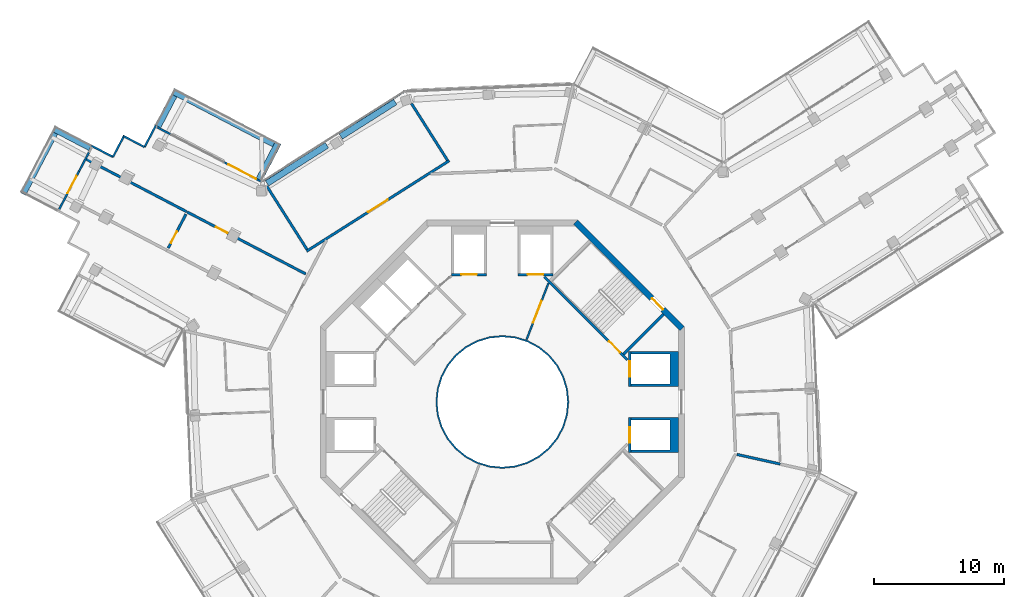
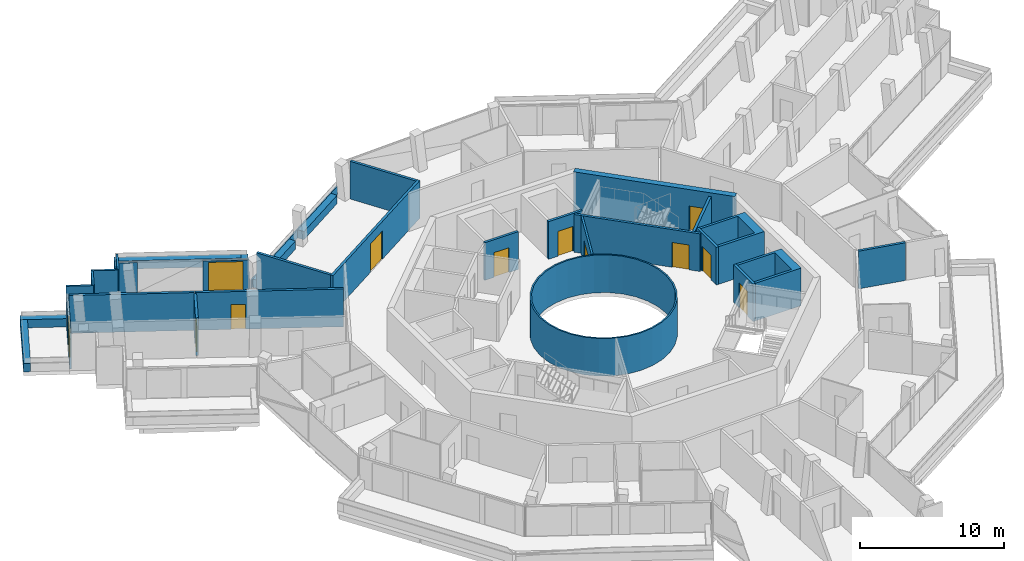
# One storey, part 18 of 23: 34 walls, 12 doors, 12 openings.
"""IFC4 building model written with IfcOpenShell, lengths in metres."""

from ifc_helpers import new_model, si_unit, direction, frame, frame_2d, origin, place, context, subcontext, project, spatial, polyline, rectangle, outline, extrude, material, layer, layer_set, type_object, element, fill, save


model = new_model("IFC4")

# Units and contexts
model_context = context("Model", 3, precision=1e-05, world=origin(), true_north=direction((0.0, 1.0)))
body_context = subcontext(model_context, "Body", "Model", "MODEL_VIEW")
ifc_project = project(units=[si_unit("LENGTHUNIT", "METRE"), si_unit("AREAUNIT", "SQUARE_METRE"), si_unit("VOLUMEUNIT", "CUBIC_METRE"), si_unit("PLANEANGLEUNIT", "RADIAN"), si_unit("MASSUNIT", "GRAM", prefix="KILO")], contexts=[model_context])

# Site, building, storey
site_placement = place(None, origin())
site = spatial("IfcSite", under=ifc_project, at=site_placement, CompositionType="ELEMENT")
building_placement = place(site_placement, origin())
building = spatial("IfcBuilding", under=site, at=building_placement, Name="Verdalira Terraces Hotel", CompositionType="ELEMENT")
storey_placement = place(building_placement, frame((0.0, 0.0, 288.0)))
storey = spatial("IfcBuildingStorey", under=building, at=storey_placement, Name="L71", CompositionType="ELEMENT", Elevation=288.0)

# Walls
ifc_material_1 = material(Name="Fire-resisting glass EI 180", Category="glass")
ifc_layer_1 = layer(ifc_material_1, 0.1201171875)
ifc_layer_set_1 = layer_set([ifc_layer_1], Name="Atrium fire screen 120 mm")
wall_type_1 = type_object("IfcWallType", Name="Atrium fire screen 120 mm", PredefinedType="SOLIDWALL", material=ifc_layer_set_1)
wall_1_placement = place(storey_placement, origin())
element("IfcWall", 1, at=wall_1_placement, inside=storey, type_object=wall_type_1, Name="Atrium fire screen", PredefinedType="SOLIDWALL", context=body_context, shape_type="SweptSolid", body=[
    extrude(outline(polyline([(5.021484, -0.998779), (4.730225, -1.959229), (4.25708, -2.844482), (3.620361, -3.620361), (2.844482, -4.25708), (1.959229, -4.730225), (0.998779, -5.021484), (0.0, -5.120117), (-0.998779, -5.021484), (-1.959229, -4.730225), (-2.844482, -4.25708), (-3.620361, -3.620361), (-4.25708, -2.844482), (-4.730225, -1.959229), (-5.021484, -0.998779), (-5.120117, 0.0), (-5.021484, 0.998779), (-4.730225, 1.959229), (-4.25708, 2.844482), (-3.620361, 3.620361), (-2.844482, 4.25708), (-1.959229, 4.730225), (-0.998779, 5.021484), (0.0, 5.120117), (0.998779, 5.021484), (1.959229, 4.730225), (2.844482, 4.25708), (3.620361, 3.620361), (4.25708, 2.844482), (4.730225, 1.959229), (5.021484, 0.998779), (5.120117, 0.0), (5.021484, -0.998779)]), holes=[polyline([(4.903809, 0.975586), (4.619385, 1.91333), (4.157227, 2.777832), (3.5354, 3.5354), (2.777832, 4.157227), (1.91333, 4.619385), (0.975586, 4.903809), (0.0, 5.0), (-0.975586, 4.903809), (-1.91333, 4.619385), (-2.777832, 4.157227), (-3.5354, 3.5354), (-4.157227, 2.777832), (-4.619385, 1.91333), (-4.903809, 0.975586), (-5.0, 0.0), (-4.903809, -0.975586), (-4.619385, -1.91333), (-4.157227, -2.777832), (-3.5354, -3.5354), (-2.777832, -4.157227), (-1.91333, -4.619385), (-0.975586, -4.903809), (0.0, -5.0), (0.975586, -4.903809), (1.91333, -4.619385), (2.777832, -4.157227), (3.5354, -3.5354), (4.157227, -2.777832), (4.619385, -1.91333), (4.903809, -0.975586), (5.0, 0.0), (4.903809, 0.975586)])]), origin(), (0.0, 0.0, 1.0), 3.189941),
])
ifc_material_2 = material(Name="Concrete C40", Category="concrete")
ifc_layer_2 = layer(ifc_material_2, 0.5)
ifc_layer_set_2 = layer_set([ifc_layer_2], Name="Balcony planter trough with tree")
wall_type_2 = type_object("IfcWallType", Name="Balcony planter trough with tree", PredefinedType="SOLIDWALL", material=ifc_layer_set_2)
wall_2_placement = place(storey_placement, frame((-31.696289, 19.560791, 0.0), z_axis=(0.0, 0.0, 1.0), x_axis=(-0.886222596, 0.463259659, 0.0)))
element("IfcWall", 2, at=wall_2_placement, inside=storey, type_object=wall_type_2, Name="Balcony planter", PredefinedType="SOLIDWALL", context=body_context, shape_type="SweptSolid", body=[
    extrude(rectangle(XDim=3.198975, YDim=0.5, at=frame_2d((1.599609, 0.0))), origin(), (0.0, 0.0, 1.0), 0.699951),
])
wall_3_placement = place(storey_placement, frame((-34.425537, 20.705322, 0.0), z_axis=(0.0, 0.0, 1.0), x_axis=(-0.463282166, -0.88621083, 0.0)))
element("IfcWall", 3, at=wall_3_placement, inside=storey, type_object=wall_type_2, Name="Balcony planter", PredefinedType="SOLIDWALL", context=body_context, shape_type="SweptSolid", body=[
    extrude(rectangle(XDim=5.299805, YDim=0.5, at=frame_2d((2.649902, 0.0))), origin(), (0.0, 0.0, 1.0), 0.699951),
])
wall_4_placement = place(storey_placement, frame((-18.70752, 17.115723, 0.0), z_axis=(0.0, 0.0, 1.0), x_axis=(0.463319596, 0.886191262, 0.0)))
element("IfcWall", 4, at=wall_4_placement, inside=storey, type_object=wall_type_2, Name="Balcony planter", PredefinedType="SOLIDWALL", context=body_context, shape_type="SweptSolid", body=[
    extrude(rectangle(XDim=3.198975, YDim=0.5, at=frame_2d((1.599609, 0.0))), origin(), (0.0, 0.0, 1.0), 0.699951),
])
wall_5_placement = place(storey_placement, frame((-17.562744, 19.844971, 0.0), z_axis=(0.0, 0.0, 1.0), x_axis=(-0.886200829, 0.463301295, 0.0)))
element("IfcWall", 5, at=wall_5_placement, inside=storey, type_object=wall_type_2, Name="Balcony planter", PredefinedType="SOLIDWALL", context=body_context, shape_type="SweptSolid", body=[
    extrude(rectangle(XDim=8.792236, YDim=0.5, at=frame_2d((4.395996, 0.0))), origin(), (0.0, 0.0, 1.0), 0.699951),
])
wall_6_placement = place(storey_placement, frame((-25.248779, 23.581055, 0.0), z_axis=(0.0, 0.0, 1.0), x_axis=(-0.463313949, -0.886194214, 0.0)))
element("IfcWall", 6, at=wall_6_placement, inside=storey, type_object=wall_type_2, Name="Balcony planter", PredefinedType="SOLIDWALL", context=body_context, shape_type="SweptSolid", body=[
    extrude(rectangle(XDim=2.698975, YDim=0.5, at=frame_2d((1.349609, 0.0))), origin(), (0.0, 0.0, 1.0), 0.699951),
])
ifc_material_3 = material(Name="Concrete C50", Category="concrete")
ifc_layer_3 = layer(ifc_material_3, 0.199951171875)
ifc_layer_set_3 = layer_set([ifc_layer_3], Name="Core RC wall 200 C50")
wall_type_3 = type_object("IfcWallType", Name="Core RC wall 200 C50", PredefinedType="SOLIDWALL", material=ifc_layer_set_3)
wall_7_placement = place(storey_placement, origin())
element("IfcWall", 7, at=wall_7_placement, inside=storey, type_object=wall_type_3, Name="L71 shaft wall E1", PredefinedType="SOLIDWALL", context=body_context, shape_type="SweptSolid", body=[
    extrude(outline(polyline([(13.550049, -3.899902), (9.899902, -3.899902), (9.899902, -3.699951), (12.899902, -3.699951), (12.899902, -1.399902), (9.899902, -1.399902), (9.899902, -1.199951), (13.550049, -1.199951), (13.550049, -3.899902)])), origin(), (0.0, 0.0, 1.0), 3.189941),
])

# Wall, opening, door
wall_8_placement = place(storey_placement, frame((9.800049, -1.199951, 0.0), z_axis=(0.0, 0.0, 1.0), x_axis=(0.0, -1.0, 0.0)))
wall_8 = element("IfcWall", 8, at=wall_8_placement, inside=storey, type_object=wall_type_3, Name="L71 shaft front wall E1", PredefinedType="SOLIDWALL", context=body_context, shape_type="SweptSolid", body=[
    extrude(rectangle(XDim=2.699951, YDim=0.199951, at=frame_2d((1.350098, 0.0))), origin(), (0.0, 0.0, 1.0), 3.189941),
])
opening_1_placement = place(wall_8_placement, frame((0.75, 0.0, 0.0)))
opening_1 = element("IfcOpeningElement", 9, at=opening_1_placement, cuts=wall_8, Name="Opening LD-L71-802", PredefinedType="OPENING", context=body_context, shape_type="SweptSolid", body=[
    extrude(rectangle(XDim=1.199951, YDim=2.100098, at=frame_2d((0.600098, 1.050049))), frame((0.0, 0.109863, 0.0), z_axis=(0.0, -1.0, 0.0), x_axis=(1.0, 0.0, 0.0)), (0.0, 0.0, 1.0), 0.219971),
])
ifc_material_4 = material(Name="Stainless steel", Category="steel")
door_type_1 = type_object("IfcDoorType", Name="Landing door 1200 x 2100", OperationType="NOTDEFINED", PredefinedType="DOOR", material=ifc_material_4)
door_1_placement = place(opening_1_placement, origin())
door_1 = element("IfcDoor", 10, at=door_1_placement, inside=storey, type_object=door_type_1, Name="Lift landing door HR1 L71", OperationType="DOUBLE_DOOR_SLIDING", OverallHeight=2.10009765625, OverallWidth=1.199951171875, PredefinedType="DOOR", context=body_context, shape_type="SweptSolid", body=[
    extrude(rectangle(XDim=1.199951, YDim=2.100098, at=frame_2d((0.600098, 1.050049))), frame((0.0, 0.024902, 0.0), z_axis=(0.0, -1.0, 0.0), x_axis=(1.0, 0.0, 0.0)), (0.0, 0.0, 1.0), 0.050049),
])
fill(opening_1, door_1)

# Wall
wall_9_placement = place(storey_placement, origin())
element("IfcWall", 11, at=wall_9_placement, inside=storey, type_object=wall_type_3, Name="L71 shaft wall E2", PredefinedType="SOLIDWALL", context=body_context, shape_type="SweptSolid", body=[
    extrude(outline(polyline([(13.550049, 3.899902), (13.550049, 1.199951), (9.899902, 1.199951), (9.899902, 1.399902), (12.899902, 1.399902), (12.899902, 3.699951), (9.899902, 3.699951), (9.899902, 3.899902), (13.550049, 3.899902)])), origin(), (0.0, 0.0, 1.0), 3.189941),
])

# Wall, opening, door
wall_10_placement = place(storey_placement, frame((9.800049, 1.199951, 0.0), z_axis=(0.0, 0.0, 1.0), x_axis=(0.0, 1.0, 0.0)))
wall_10 = element("IfcWall", 12, at=wall_10_placement, inside=storey, type_object=wall_type_3, Name="L71 shaft front wall E2", PredefinedType="SOLIDWALL", context=body_context, shape_type="SweptSolid", body=[
    extrude(rectangle(XDim=2.699951, YDim=0.199951, at=frame_2d((1.350098, 0.0))), origin(), (0.0, 0.0, 1.0), 3.189941),
])
opening_2_placement = place(wall_10_placement, frame((0.75, 0.0, 0.0)))
opening_2 = element("IfcOpeningElement", 13, at=opening_2_placement, cuts=wall_10, Name="Opening LD-L71-803", PredefinedType="OPENING", context=body_context, shape_type="SweptSolid", body=[
    extrude(rectangle(XDim=1.199951, YDim=2.100098, at=frame_2d((0.600098, 1.050049))), frame((0.0, 0.109863, 0.0), z_axis=(0.0, -1.0, 0.0), x_axis=(1.0, 0.0, 0.0)), (0.0, 0.0, 1.0), 0.219971),
])
door_2_placement = place(opening_2_placement, origin())
door_2 = element("IfcDoor", 14, at=door_2_placement, inside=storey, type_object=door_type_1, Name="Lift landing door HR2 L71", OperationType="DOUBLE_DOOR_SLIDING", OverallHeight=2.10009765625, OverallWidth=1.199951171875, PredefinedType="DOOR", context=body_context, shape_type="SweptSolid", body=[
    extrude(rectangle(XDim=1.199951, YDim=2.100098, at=frame_2d((0.600098, 1.050049))), frame((0.0, 0.024902, 0.0), z_axis=(0.0, -1.0, 0.0), x_axis=(1.0, 0.0, 0.0)), (0.0, 0.0, 1.0), 0.050049),
])
fill(opening_2, door_2)

wall_11_placement = place(storey_placement, frame((1.199951, 9.800049, 0.0), z_axis=(0.0, 0.0, 1.0), x_axis=(1.0, 0.0, 0.0)))
wall_11 = element("IfcWall", 15, at=wall_11_placement, inside=storey, type_object=wall_type_3, Name="L71 shaft front wall N1", PredefinedType="SOLIDWALL", context=body_context, shape_type="SweptSolid", body=[
    extrude(rectangle(XDim=2.699951, YDim=0.199951, at=frame_2d((1.350098, 0.0))), origin(), (0.0, 0.0, 1.0), 3.189941),
])
opening_3_placement = place(wall_11_placement, frame((0.75, 0.0, 0.0)))
opening_3 = element("IfcOpeningElement", 16, at=opening_3_placement, cuts=wall_11, Name="Opening LD-L71-804", PredefinedType="OPENING", context=body_context, shape_type="SweptSolid", body=[
    extrude(rectangle(XDim=1.199951, YDim=2.100098, at=frame_2d((0.600098, 1.050049))), frame((0.0, 0.109863, 0.0), z_axis=(0.0, -1.0, 0.0), x_axis=(1.0, 0.0, 0.0)), (0.0, 0.0, 1.0), 0.219971),
])
door_3_placement = place(opening_3_placement, origin())
door_3 = element("IfcDoor", 17, at=door_3_placement, inside=storey, type_object=door_type_1, Name="Lift landing door HR3 L71", OperationType="DOUBLE_DOOR_SLIDING", OverallHeight=2.10009765625, OverallWidth=1.199951171875, PredefinedType="DOOR", context=body_context, shape_type="SweptSolid", body=[
    extrude(rectangle(XDim=1.199951, YDim=2.100098, at=frame_2d((0.600098, 1.050049))), frame((0.0, 0.024902, 0.0), z_axis=(0.0, -1.0, 0.0), x_axis=(1.0, 0.0, 0.0)), (0.0, 0.0, 1.0), 0.050049),
])
fill(opening_3, door_3)

wall_12_placement = place(storey_placement, frame((-1.199951, 9.800049, 0.0), z_axis=(0.0, 0.0, 1.0), x_axis=(-1.0, 0.0, 0.0)))
wall_12 = element("IfcWall", 18, at=wall_12_placement, inside=storey, type_object=wall_type_3, Name="L71 shaft front wall N2", PredefinedType="SOLIDWALL", context=body_context, shape_type="SweptSolid", body=[
    extrude(rectangle(XDim=2.699951, YDim=0.199951, at=frame_2d((1.350098, 0.0))), origin(), (0.0, 0.0, 1.0), 3.189941),
])
opening_4_placement = place(wall_12_placement, frame((0.75, 0.0, 0.0)))
opening_4 = element("IfcOpeningElement", 19, at=opening_4_placement, cuts=wall_12, Name="Opening LD-L71-805", PredefinedType="OPENING", context=body_context, shape_type="SweptSolid", body=[
    extrude(rectangle(XDim=1.199951, YDim=2.100098, at=frame_2d((0.600098, 1.050049))), frame((0.0, 0.109863, 0.0), z_axis=(0.0, -1.0, 0.0), x_axis=(1.0, 0.0, 0.0)), (0.0, 0.0, 1.0), 0.219971),
])
door_4_placement = place(opening_4_placement, origin())
door_4 = element("IfcDoor", 20, at=door_4_placement, inside=storey, type_object=door_type_1, Name="Lift landing door HR4 L71", OperationType="DOUBLE_DOOR_SLIDING", OverallHeight=2.10009765625, OverallWidth=1.199951171875, PredefinedType="DOOR", context=body_context, shape_type="SweptSolid", body=[
    extrude(rectangle(XDim=1.199951, YDim=2.100098, at=frame_2d((0.600098, 1.050049))), frame((0.0, 0.024902, 0.0), z_axis=(0.0, -1.0, 0.0), x_axis=(1.0, 0.0, 0.0)), (0.0, 0.0, 1.0), 0.050049),
])
fill(opening_4, door_4)

wall_13_placement = place(storey_placement, frame((3.23999, 9.629395, 0.0), z_axis=(0.0, 0.0, 1.0), x_axis=(0.707106781, -0.707106781, 0.0)))
wall_13 = element("IfcWall", 21, at=wall_13_placement, inside=storey, type_object=wall_type_3, Name="L71 stair ST1 front wall", PredefinedType="SOLIDWALL", context=body_context, shape_type="SweptSolid", body=[
    extrude(rectangle(XDim=9.035889, YDim=0.199951, at=frame_2d((4.518066, 0.0))), origin(), (0.0, 0.0, 1.0), 3.189941),
])
opening_5_placement = place(wall_13_placement, frame((7.017822, 0.0, 0.0)))
opening_5 = element("IfcOpeningElement", 22, at=opening_5_placement, cuts=wall_13, Name="Opening L71-810", PredefinedType="OPENING", context=body_context, shape_type="SweptSolid", body=[
    extrude(rectangle(XDim=1.199951, YDim=2.100098, at=frame_2d((0.600098, 1.050049))), frame((0.0, 0.109863, 0.0), z_axis=(0.0, -1.0, 0.0), x_axis=(1.0, 0.0, 0.0)), (0.0, 0.0, 1.0), 0.219971),
])
ifc_material_5 = material(Name="Steel fire door", Category="steel")
door_type_2 = type_object("IfcDoorType", Name="Stair door 1200 x 2100", OperationType="NOTDEFINED", PredefinedType="DOOR", material=ifc_material_5)
door_5_placement = place(opening_5_placement, origin())
door_5 = element("IfcDoor", 23, at=door_5_placement, inside=storey, type_object=door_type_2, Name="Stair door ST1 L71", OperationType="SINGLE_SWING_RIGHT", OverallHeight=2.10009765625, OverallWidth=1.199951171875, PredefinedType="DOOR", context=body_context, shape_type="SweptSolid", body=[
    extrude(rectangle(XDim=1.199951, YDim=2.100098, at=frame_2d((0.600098, 1.050049))), frame((0.0, 0.024902, 0.0), z_axis=(0.0, -1.0, 0.0), x_axis=(1.0, 0.0, 0.0)), (0.0, 0.0, 1.0), 0.050049),
])
fill(opening_5, door_5)

# Wall
wall_14_placement = place(storey_placement, frame((9.33374, 3.677002, 0.0), z_axis=(0.0, 0.0, 1.0), x_axis=(0.707106781, 0.707106781, 0.0)))
element("IfcWall", 24, at=wall_14_placement, inside=storey, type_object=wall_type_3, Name="L71 stair ST1 end wall 1", PredefinedType="SOLIDWALL", context=body_context, shape_type="SweptSolid", body=[
    extrude(rectangle(XDim=4.350098, YDim=0.199951, at=frame_2d((2.175049, 0.0))), origin(), (0.0, 0.0, 1.0), 3.189941),
])

# Wall, opening, door
ifc_material_6 = material(Name="Gypsum board partition")
ifc_layer_4 = layer(ifc_material_6, 0.14990234375)
ifc_layer_set_4 = layer_set([ifc_layer_4], Name="Core partition 150 mm")
wall_type_4 = type_object("IfcWallType", Name="Core partition 150 mm", PredefinedType="PARTITIONING", material=ifc_layer_set_4)
wall_15_placement = place(storey_placement, frame((1.857178, 4.781982, 0.0), z_axis=(0.0, 0.0, 1.0), x_axis=(0.36202798, 0.932167228, 0.0)))
wall_15 = element("IfcWall", 25, at=wall_15_placement, inside=storey, type_object=wall_type_4, Name="Gallery fire partition L71", PredefinedType="PARTITIONING", context=body_context, shape_type="SweptSolid", body=[
    extrude(rectangle(XDim=4.676025, YDim=0.149902, at=frame_2d((2.337891, 0.0))), origin(), (0.0, 0.0, 1.0), 3.189941),
])
opening_6_placement = place(wall_15_placement, frame((1.399902, 0.0, 0.0)))
opening_6 = element("IfcOpeningElement", 26, at=opening_6_placement, cuts=wall_15, Name="Opening L71-823", PredefinedType="OPENING", context=body_context, shape_type="SweptSolid", body=[
    extrude(rectangle(XDim=1.800049, YDim=2.100098, at=frame_2d((0.899902, 1.050049))), frame((0.0, 0.084961, 0.0), z_axis=(0.0, -1.0, 0.0), x_axis=(1.0, 0.0, 0.0)), (0.0, 0.0, 1.0), 0.169922),
])
ifc_material_7 = material(Name="Steel fire door", Category="steel")
door_type_3 = type_object("IfcDoorType", Name="Gallery fire door pair 1800 x 2100", OperationType="NOTDEFINED", PredefinedType="DOOR", material=ifc_material_7)
door_6_placement = place(opening_6_placement, origin())
door_6 = element("IfcDoor", 27, at=door_6_placement, inside=storey, type_object=door_type_3, Name="Door L71 split1", OperationType="DOUBLE_DOOR_SINGLE_SWING", OverallHeight=2.10009765625, OverallWidth=1.800048828125, PredefinedType="DOOR", context=body_context, shape_type="SweptSolid", body=[
    extrude(rectangle(XDim=1.800049, YDim=2.100098, at=frame_2d((0.899902, 1.050049))), frame((0.0, 0.024902, 0.0), z_axis=(0.0, -1.0, 0.0), x_axis=(1.0, 0.0, 0.0)), (0.0, 0.0, 1.0), 0.050049),
])
fill(opening_6, door_6)

ifc_material_8 = material(Name="Concrete C50", Category="concrete")
ifc_layer_5 = layer(ifc_material_8, 0.449951171875)
ifc_layer_set_5 = layer_set([ifc_layer_5], Name="Core wall 450 C50")
wall_type_5 = type_object("IfcWallType", Name="Core wall 450 C50", PredefinedType="SHEAR", material=ifc_layer_set_5)
wall_16_placement = place(storey_placement, frame((13.84082, 5.639893, 0.0), z_axis=(0.0, 0.0, 1.0), x_axis=(-0.707106781, 0.707106781, 0.0)))
wall_16 = element("IfcWall", 28, at=wall_16_placement, inside=storey, type_object=wall_type_5, Name="Core wall CW-L71-2", PredefinedType="SHEAR", context=body_context, shape_type="SweptSolid", body=[
    extrude(rectangle(XDim=11.5979, YDim=0.449951, at=frame_2d((5.798828, 0.0))), origin(), (0.0, 0.0, 1.0), 3.5),
])
opening_7_placement = place(wall_16_placement, frame((2.099121, 0.0, 0.0)))
opening_7 = element("IfcOpeningElement", 29, at=opening_7_placement, cuts=wall_16, Name="Opening L71-816", PredefinedType="OPENING", context=body_context, shape_type="SweptSolid", body=[
    extrude(rectangle(XDim=1.199951, YDim=2.100098, at=frame_2d((0.600098, 1.050049))), frame((0.0, 0.234863, 0.0), z_axis=(0.0, -1.0, 0.0), x_axis=(1.0, 0.0, 0.0)), (0.0, 0.0, 1.0), 0.469971),
])
door_7_placement = place(opening_7_placement, origin())
door_7 = element("IfcDoor", 30, at=door_7_placement, inside=storey, type_object=door_type_2, Name="Stair exit door ST1 L71", OperationType="SINGLE_SWING_LEFT", OverallHeight=2.10009765625, OverallWidth=1.199951171875, PredefinedType="DOOR", context=body_context, shape_type="SweptSolid", body=[
    extrude(rectangle(XDim=1.199951, YDim=2.100098, at=frame_2d((0.600098, 1.050049))), frame((0.0, 0.024902, 0.0), z_axis=(0.0, -1.0, 0.0), x_axis=(1.0, 0.0, 0.0)), (0.0, 0.0, 1.0), 0.050049),
])
fill(opening_7, door_7)

# Wall
ifc_material_9 = material(Name="Fire-rated gypsum board wall")
ifc_layer_6 = layer(ifc_material_9, 0.199951171875)
ifc_layer_set_6 = layer_set([ifc_layer_6], Name="Demising wall 200 mm")
wall_type_6 = type_object("IfcWallType", Name="Demising wall 200 mm", PredefinedType="SOLIDWALL", material=ifc_layer_set_6)
wall_17_placement = place(storey_placement, frame((-24.288574, 14.638184, 0.0), z_axis=(0.0, 0.0, 1.0), x_axis=(-0.886199504, 0.463303831, 0.0)))
element("IfcWall", 31, at=wall_17_placement, inside=storey, type_object=wall_type_6, Name="Demising wall", PredefinedType="SOLIDWALL", context=body_context, shape_type="SweptSolid", body=[
    extrude(rectangle(XDim=8.694336, YDim=0.199951, at=frame_2d((4.347168, 0.0))), origin(), (0.0, 0.0, 1.0), 3.189941),
])

# Wall, opening, door
wall_18_placement = place(storey_placement, frame((-25.701172, 11.832275, 0.0), z_axis=(0.0, 0.0, 1.0), x_axis=(0.463277917, 0.886213051, 0.0)))
wall_18 = element("IfcWall", 32, at=wall_18_placement, inside=storey, type_object=wall_type_6, Name="Demising wall", PredefinedType="SOLIDWALL", context=body_context, shape_type="SweptSolid", body=[
    extrude(rectangle(XDim=2.941162, YDim=0.199951, at=frame_2d((1.470703, 0.0))), origin(), (0.0, 0.0, 1.0), 3.189941),
])
opening_8_placement = place(wall_18_placement, frame((0.449951, 0.0, 0.0)))
opening_8 = element("IfcOpeningElement", 33, at=opening_8_placement, cuts=wall_18, Name="Opening L71-104", PredefinedType="OPENING", context=body_context, shape_type="SweptSolid", body=[
    extrude(rectangle(XDim=1.0, YDim=2.100098, at=frame_2d((0.5, 1.050049))), frame((0.0, 0.109863, 0.0), z_axis=(0.0, -1.0, 0.0), x_axis=(1.0, 0.0, 0.0)), (0.0, 0.0, 1.0), 0.219971),
])
ifc_material_10 = material(Name="Timber fire door", Category="wood")
door_type_4 = type_object("IfcDoorType", Name="Public room door 1000 x 2100", OperationType="NOTDEFINED", PredefinedType="DOOR", material=ifc_material_10)
door_8_placement = place(opening_8_placement, origin())
door_8 = element("IfcDoor", 34, at=door_8_placement, inside=storey, type_object=door_type_4, Name="Public room door 7101", OperationType="SINGLE_SWING_LEFT", OverallHeight=2.10009765625, OverallWidth=1.0, PredefinedType="DOOR", context=body_context, shape_type="SweptSolid", body=[
    extrude(rectangle(XDim=1.0, YDim=2.100098, at=frame_2d((0.5, 1.050049))), frame((0.0, 0.024902, 0.0), z_axis=(0.0, -1.0, 0.0), x_axis=(1.0, 0.0, 0.0)), (0.0, 0.0, 1.0), 0.050049),
])
fill(opening_8, door_8)

wall_19_placement = place(storey_placement, frame((-24.247803, 14.616699, 0.0), z_axis=(0.0, 0.0, 1.0), x_axis=(0.886209744, -0.463284243, 0.0)))
wall_19 = element("IfcWall", 35, at=wall_19_placement, inside=storey, type_object=wall_type_6, Name="Demising wall", PredefinedType="SOLIDWALL", context=body_context, shape_type="SweptSolid", body=[
    extrude(rectangle(XDim=10.302002, YDim=0.199951, at=frame_2d((5.150879, 0.0))), origin(), (0.0, 0.0, 1.0), 3.189941),
])
opening_9_placement = place(wall_19_placement, frame((2.5, 0.0, 0.0)))
opening_9 = element("IfcOpeningElement", 36, at=opening_9_placement, cuts=wall_19, Name="Opening L71-102", PredefinedType="OPENING", context=body_context, shape_type="SweptSolid", body=[
    extrude(rectangle(XDim=1.0, YDim=2.100098, at=frame_2d((0.5, 1.050049))), frame((0.0, 0.109863, 0.0), z_axis=(0.0, -1.0, 0.0), x_axis=(1.0, 0.0, 0.0)), (0.0, 0.0, 1.0), 0.219971),
])
door_9_placement = place(opening_9_placement, origin())
door_9 = element("IfcDoor", 37, at=door_9_placement, inside=storey, type_object=door_type_4, Name="Public room door 7101", OperationType="SINGLE_SWING_LEFT", OverallHeight=2.10009765625, OverallWidth=1.0, PredefinedType="DOOR", context=body_context, shape_type="SweptSolid", body=[
    extrude(rectangle(XDim=1.0, YDim=2.100098, at=frame_2d((0.5, 1.050049))), frame((0.0, 0.024902, 0.0), z_axis=(0.0, -1.0, 0.0), x_axis=(1.0, 0.0, 0.0)), (0.0, 0.0, 1.0), 0.050049),
])
fill(opening_9, door_9)

# Wall
wall_20_placement = place(storey_placement, frame((18.043213, -4.033203, 0.0), z_axis=(0.0, 0.0, 1.0), x_axis=(0.975920804, -0.218125156, 0.0)))
element("IfcWall", 38, at=wall_20_placement, inside=storey, type_object=wall_type_6, Name="Demising wall", PredefinedType="SOLIDWALL", context=body_context, shape_type="SweptSolid", body=[
    extrude(rectangle(XDim=3.418213, YDim=0.199951, at=frame_2d((1.708984, 0.0))), origin(), (0.0, 0.0, 1.0), 3.189941),
])

# Wall, opening, door
ifc_material_11 = material(Name="Terracotta cladding", Category="masonry")
ifc_layer_7 = layer(ifc_material_11, 0.199951171875)
ifc_layer_set_7 = layer_set([ifc_layer_7], Name="Loggia back wall 200")
wall_type_7 = type_object("IfcWallType", Name="Loggia back wall 200", PredefinedType="SOLIDWALL", material=ifc_layer_set_7)
wall_21_placement = place(storey_placement, frame((-15.057129, 11.595459, 0.0), z_axis=(0.0, 0.0, 1.0), x_axis=(0.844326643, 0.535828817, 0.0)))
wall_21 = element("IfcWall", 39, at=wall_21_placement, inside=storey, type_object=wall_type_7, Name="Loggia back wall", PredefinedType="SOLIDWALL", context=body_context, shape_type="SweptSolid", body=[
    extrude(rectangle(XDim=13.0, YDim=0.199951, at=frame_2d((6.5, 0.0))), origin(), (0.0, 0.0, 1.0), 3.189941),
])
opening_10_placement = place(wall_21_placement, frame((5.600098, 0.0, 0.0)))
opening_10 = element("IfcOpeningElement", 40, at=opening_10_placement, cuts=wall_21, Name="Opening L71-L01", PredefinedType="OPENING", context=body_context, shape_type="SweptSolid", body=[
    extrude(rectangle(XDim=1.800049, YDim=2.399902, at=frame_2d((0.899902, 1.199951))), frame((0.0, 0.109863, 0.0), z_axis=(0.0, -1.0, 0.0), x_axis=(1.0, 0.0, 0.0)), (0.0, 0.0, 1.0), 0.219971),
])
ifc_material_12 = material(Name="Clear glass", Category="glass")
door_type_5 = type_object("IfcDoorType", Name="Garden double door 1800x2400", OperationType="NOTDEFINED", PredefinedType="DOOR", material=ifc_material_12)
door_10_placement = place(opening_10_placement, origin())
door_10 = element("IfcDoor", 41, at=door_10_placement, inside=storey, type_object=door_type_5, Name="Loggia double door", OperationType="DOUBLE_DOOR_SINGLE_SWING", OverallHeight=2.39990234375, OverallWidth=1.800048828125, PredefinedType="DOOR", context=body_context, shape_type="SweptSolid", body=[
    extrude(rectangle(XDim=1.800049, YDim=2.399902, at=frame_2d((0.899902, 1.199951))), frame((0.0, 0.024902, 0.0), z_axis=(0.0, -1.0, 0.0), x_axis=(1.0, 0.0, 0.0)), (0.0, 0.0, 1.0), 0.050049),
])
fill(opening_10, door_10)

# Walls
wall_22_placement = place(storey_placement, frame((-6.989014, 22.957275, 0.0), z_axis=(0.0, 0.0, 1.0), x_axis=(0.535827029, -0.844327777, 0.0)))
element("IfcWall", 42, at=wall_22_placement, inside=storey, type_object=wall_type_7, Name="Loggia side wall", PredefinedType="SOLIDWALL", context=body_context, shape_type="SweptSolid", body=[
    extrude(rectangle(XDim=5.170166, YDim=0.199951, at=frame_2d((2.584961, 0.0))), origin(), (0.0, 0.0, 1.0), 3.189941),
])
wall_23_placement = place(storey_placement, frame((-18.119629, 16.60791, 0.0), z_axis=(0.0, 0.0, 1.0), x_axis=(0.535802409, -0.844343401, 0.0)))
element("IfcWall", 43, at=wall_23_placement, inside=storey, type_object=wall_type_7, Name="Loggia side wall", PredefinedType="SOLIDWALL", context=body_context, shape_type="SweptSolid", body=[
    extrude(rectangle(XDim=5.773193, YDim=0.199951, at=frame_2d((2.886719, 0.0))), origin(), (0.0, 0.0, 1.0), 3.189941),
])
ifc_material_13 = material(Name="Concrete C40", Category="concrete")
ifc_layer_8 = layer(ifc_material_13, 0.5)
ifc_layer_set_8 = layer_set([ifc_layer_8], Name="Loggia planter trough with tree")
wall_type_8 = type_object("IfcWallType", Name="Loggia planter trough with tree", PredefinedType="SOLIDWALL", material=ifc_layer_set_8)
wall_24_placement = place(storey_placement, frame((-8.240234, 23.086914, 0.0), z_axis=(0.0, 0.0, 1.0), x_axis=(-0.844319149, -0.535840625, 0.0)))
element("IfcWall", 44, at=wall_24_placement, inside=storey, type_object=wall_type_8, Name="Loggia planter", PredefinedType="SOLIDWALL", context=body_context, shape_type="SweptSolid", body=[
    extrude(rectangle(XDim=4.963135, YDim=0.5, at=frame_2d((2.481445, 0.0))), origin(), (0.0, 0.0, 1.0), 0.699951),
])
wall_25_placement = place(storey_placement, frame((-13.495605, 19.751709, 0.0), z_axis=(0.0, 0.0, 1.0), x_axis=(-0.844331366, -0.535821373, 0.0)))
element("IfcWall", 45, at=wall_25_placement, inside=storey, type_object=wall_type_8, Name="Loggia planter", PredefinedType="SOLIDWALL", context=body_context, shape_type="SweptSolid", body=[
    extrude(rectangle(XDim=5.457275, YDim=0.5, at=frame_2d((2.728516, 0.0))), origin(), (0.0, 0.0, 1.0), 0.699951),
])
ifc_material_14 = material(Name="Concrete C40", Category="concrete")
ifc_layer_9 = layer(ifc_material_14, 0.10009765625)
ifc_layer_set_9 = layer_set([ifc_layer_9], Name="Loggia upstand 100")
wall_type_9 = type_object("IfcWallType", Name="Loggia upstand 100", PredefinedType="SOLIDWALL", material=ifc_layer_set_9)
wall_26_placement = place(storey_placement, frame((-7.550781, 23.879883, 0.0), z_axis=(0.0, 0.0, 1.0), x_axis=(-0.844327104, -0.535828089, 0.0)))
element("IfcWall", 46, at=wall_26_placement, inside=storey, type_object=wall_type_9, Name="Loggia upstand", PredefinedType="SOLIDWALL", context=body_context, shape_type="SweptSolid", body=[
    extrude(rectangle(XDim=12.840088, YDim=0.100098, at=frame_2d((6.419922, 0.0))), origin(), (0.0, 0.0, 1.0), 0.699951),
])
ifc_material_15 = material(Name="Terracotta cladding", Category="masonry")
ifc_layer_10 = layer(ifc_material_15, 0.14990234375)
ifc_layer_set_10 = layer_set([ifc_layer_10], Name="Terracotta clad wall 150")
wall_type_10 = type_object("IfcWallType", Name="Terracotta clad wall 150", PredefinedType="SOLIDWALL", material=ifc_layer_set_10)
wall_27_placement = place(storey_placement, frame((-26.654785, 21.269531, 0.0), z_axis=(0.0, 0.0, 1.0), x_axis=(-0.463286748, -0.886208434, 0.0)))
element("IfcWall", 47, at=wall_27_placement, inside=storey, type_object=wall_type_10, Name="Terracotta cladding wall", PredefinedType="SOLIDWALL", context=body_context, shape_type="SweptSolid", body=[
    extrude(rectangle(XDim=1.875, YDim=0.149902, at=frame_2d((0.9375, 0.0))), origin(), (0.0, 0.0, 1.0), 3.189941),
])
wall_28_placement = place(storey_placement, frame((-27.523438, 19.60791, 0.0), z_axis=(0.0, 0.0, 1.0), x_axis=(-0.886197601, 0.46330747, 0.0)))
element("IfcWall", 48, at=wall_28_placement, inside=storey, type_object=wall_type_10, Name="Terracotta cladding wall", PredefinedType="SOLIDWALL", context=body_context, shape_type="SweptSolid", body=[
    extrude(rectangle(XDim=1.800049, YDim=0.149902, at=frame_2d((0.899902, 0.0))), origin(), (0.0, 0.0, 1.0), 3.189941),
])
for number, where, z_axis, x_axis, name in (
    (49, (-29.083984, 20.508301, 0.0), (0.0, 0.0, 1.0), (-0.463286748, -0.886208434, 0.0), "Terracotta cladding wall"),
    (50, (-29.952637, 18.84668, 0.0), (0.0, 0.0, 1.0), (-0.886208434, 0.463286748, 0.0), "Terracotta cladding wall"),
):
    element("IfcWall", number, at=place(storey_placement, frame(where, z_axis=z_axis, x_axis=x_axis)), inside=storey, type_object=wall_type_10, Name=name, PredefinedType="SOLIDWALL", context=body_context, shape_type="SweptSolid", body=[
        extrude(rectangle(XDim=1.875, YDim=0.149902, at=frame_2d((0.9375, 0.0))), origin(), (0.0, 0.0, 1.0), 3.189941),
    ])
ifc_material_16 = material(Name="Terracotta cladding", Category="masonry")
ifc_layer_11 = layer(ifc_material_16, 0.14990234375)
ifc_layer_set_11 = layer_set([ifc_layer_11], Name="Terracotta column pier 150")
wall_type_11 = type_object("IfcWallType", Name="Terracotta column pier 150", PredefinedType="SOLIDWALL", material=ifc_layer_set_11)
wall_29_placement = place(storey_placement, frame((-25.435547, 20.547363, 0.0), z_axis=(0.0, 0.0, 1.0), x_axis=(-0.886207506, 0.463288523, 0.0)))
element("IfcWall", 51, at=wall_29_placement, inside=storey, type_object=wall_type_11, Name="Terracotta column pier", PredefinedType="SOLIDWALL", context=body_context, shape_type="SweptSolid", body=[
    extrude(rectangle(XDim=1.27002, YDim=0.149902, at=frame_2d((0.63501, 0.0))), origin(), (0.0, 0.0, 1.0), 2.524902),
])
wall_30_placement = place(storey_placement, frame((-31.804932, 19.188721, 0.0), z_axis=(0.0, 0.0, 1.0), x_axis=(-0.463256883, -0.886224046, 0.0)))
element("IfcWall", 52, at=wall_30_placement, inside=storey, type_object=wall_type_11, Name="Terracotta column pier", PredefinedType="SOLIDWALL", context=body_context, shape_type="SweptSolid", body=[
    extrude(rectangle(XDim=1.630127, YDim=0.149902, at=frame_2d((0.814941, 0.0))), origin(), (0.0, 0.0, 1.0), 2.524902),
])

# Wall, opening, door
ifc_material_17 = material(Name="Terracotta cladding", Category="masonry")
ifc_layer_12 = layer(ifc_material_17, 0.14990234375)
ifc_layer_set_12 = layer_set([ifc_layer_12], Name="Terracotta door pier 150")
wall_type_12 = type_object("IfcWallType", Name="Terracotta door pier 150", PredefinedType="SOLIDWALL", material=ifc_layer_set_12)
wall_31_placement = place(storey_placement, frame((-18.583252, 16.965088, 0.0), z_axis=(0.0, 0.0, 1.0), x_axis=(-0.886209069, 0.463285533, 0.0)))
wall_31 = element("IfcWall", 53, at=wall_31_placement, inside=storey, type_object=wall_type_12, Name="Terracotta door pier", PredefinedType="SOLIDWALL", context=body_context, shape_type="SweptSolid", body=[
    extrude(rectangle(XDim=3.199707, YDim=0.149902, at=frame_2d((1.599854, 0.0))), origin(), (0.0, 0.0, 1.0), 2.524902),
])
opening_11_placement = place(wall_31_placement, frame((0.399902, 0.0, 0.0)))
opening_11 = element("IfcOpeningElement", 54, at=opening_11_placement, cuts=wall_31, Name="Opening L71-B01", PredefinedType="OPENING", context=body_context, shape_type="SweptSolid", body=[
    extrude(rectangle(XDim=2.399902, YDim=2.399902, at=frame_2d((1.199951, 1.199951))), frame((0.0, 0.084961, 0.0), z_axis=(0.0, -1.0, 0.0), x_axis=(1.0, 0.0, 0.0)), (0.0, 0.0, 1.0), 0.169922),
])
ifc_material_18 = material(Name="Clear glass", Category="glass")
door_type_6 = type_object("IfcDoorType", Name="Balcony sliding door 2400x2400", OperationType="NOTDEFINED", PredefinedType="DOOR", material=ifc_material_18)
door_11_placement = place(opening_11_placement, origin())
door_11 = element("IfcDoor", 55, at=door_11_placement, inside=storey, type_object=door_type_6, Name="Balcony sliding door", OperationType="SLIDING_TO_LEFT", OverallHeight=2.39990234375, OverallWidth=2.39990234375, PredefinedType="DOOR", context=body_context, shape_type="SweptSolid", body=[
    extrude(rectangle(XDim=2.399902, YDim=2.399902, at=frame_2d((1.199951, 1.199951))), frame((0.0, 0.024902, 0.0), z_axis=(0.0, -1.0, 0.0), x_axis=(1.0, 0.0, 0.0)), (0.0, 0.0, 1.0), 0.050049),
])
fill(opening_11, door_11)

wall_32_placement = place(storey_placement, frame((-32.560059, 17.744141, 0.0), z_axis=(0.0, 0.0, 1.0), x_axis=(-0.463279224, -0.886212367, 0.0)))
wall_32 = element("IfcWall", 56, at=wall_32_placement, inside=storey, type_object=wall_type_12, Name="Terracotta door pier", PredefinedType="SOLIDWALL", context=body_context, shape_type="SweptSolid", body=[
    extrude(rectangle(XDim=3.310059, YDim=0.149902, at=frame_2d((1.655029, 0.0))), origin(), (0.0, 0.0, 1.0), 2.524902),
])
opening_12_placement = place(wall_32_placement, frame((0.399902, 0.0, 0.0)))
opening_12 = element("IfcOpeningElement", 57, at=opening_12_placement, cuts=wall_32, Name="Opening L71-B02", PredefinedType="OPENING", context=body_context, shape_type="SweptSolid", body=[
    extrude(rectangle(XDim=1.5, YDim=2.399902, at=frame_2d((0.75, 1.199951))), frame((0.0, 0.084961, 0.0), z_axis=(0.0, -1.0, 0.0), x_axis=(1.0, 0.0, 0.0)), (0.0, 0.0, 1.0), 0.169922),
])
ifc_material_19 = material(Name="Clear glass", Category="glass")
door_type_7 = type_object("IfcDoorType", Name="Balcony sliding door 1500x2400", OperationType="NOTDEFINED", PredefinedType="DOOR", material=ifc_material_19)
door_12_placement = place(opening_12_placement, origin())
door_12 = element("IfcDoor", 58, at=door_12_placement, inside=storey, type_object=door_type_7, Name="Balcony sliding door", OperationType="SLIDING_TO_RIGHT", OverallHeight=2.39990234375, OverallWidth=1.5, PredefinedType="DOOR", context=body_context, shape_type="SweptSolid", body=[
    extrude(rectangle(XDim=1.5, YDim=2.399902, at=frame_2d((0.75, 1.199951))), frame((0.0, 0.024902, 0.0), z_axis=(0.0, -1.0, 0.0), x_axis=(1.0, 0.0, 0.0)), (0.0, 0.0, 1.0), 0.050049),
])
fill(opening_12, door_12)

save(model, "model.ifc")
